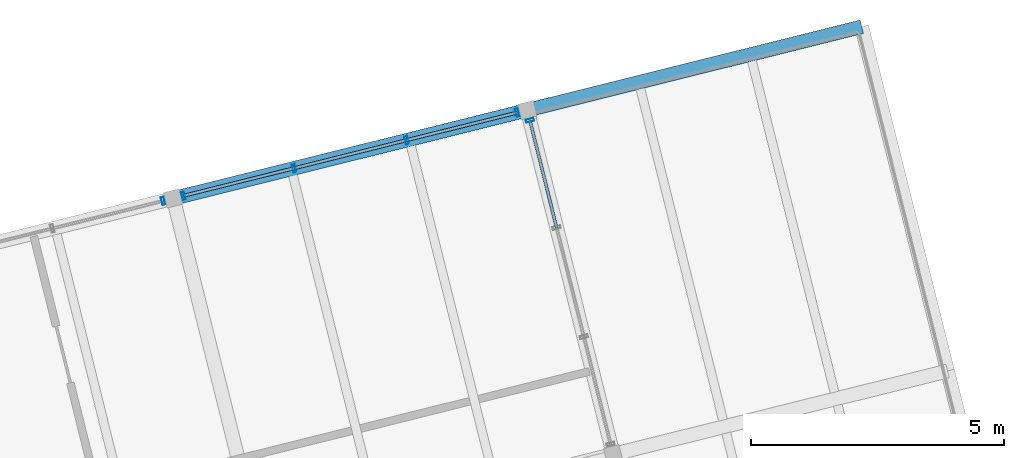
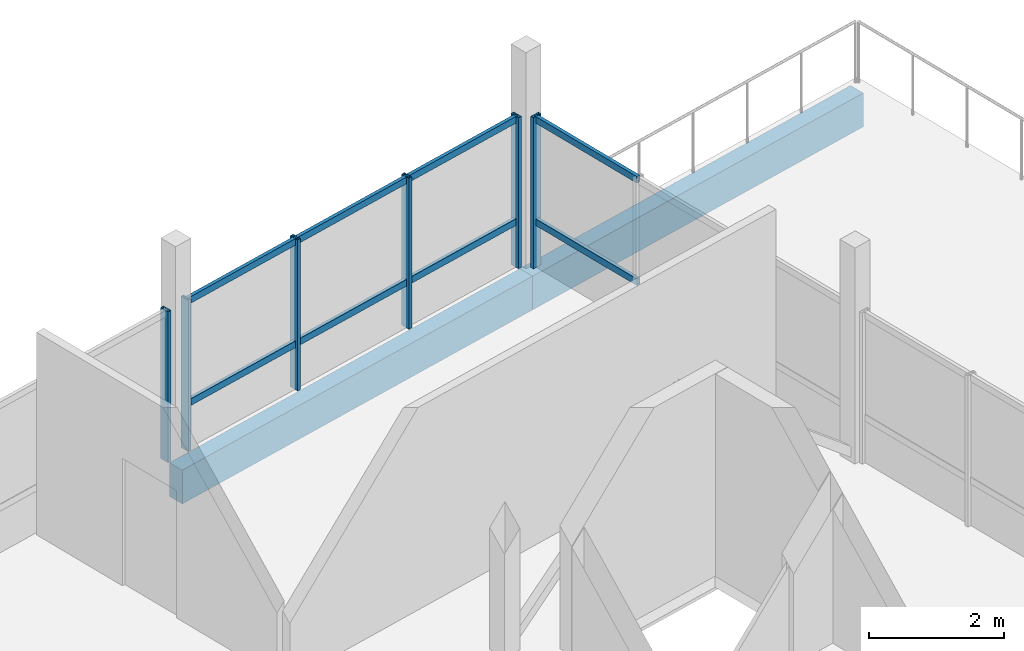
# One storey, part 19 of 24: 14 members, 2 beams, 3 elements without a shape of their own.
"""IFC4 building model written with IfcOpenShell, lengths in metres."""

import ifcopenshell
import ifcopenshell.guid

model = None  # the IFC model being written
_history = None  # IfcOwnerHistory: only IFC2X3 demands one
_inside = {}  # id of a spatial element -> (the spatial element, [elements in it])
_under = {}  # id of a project, library or spatial element -> (it, [spatial elements below it])
_declared = {}  # id of a project -> (the project, [libraries it declares])
_typed = {}  # id of a type object -> (the type object, [elements of that type])
_made_of = {}  # id of a material, layer set ... -> (it, [elements and type objects made of it])


def new_model(schema):
    """Start an empty IFC model of exactly this schema.

    Asked for "IFC4X3", IfcOpenShell would pick the latest addendum, in which some entities
    have other attributes; the version numbers below select the first issue.
    IFC2X3 requires an IfcOwnerHistory on every rooted entity: one is made here for all.
    """
    global model, _history
    if schema == "IFC4X3":
        model = ifcopenshell.file(schema_version=(4, 3, 0, 0))
    else:
        model = ifcopenshell.file(schema=schema)
    _inside.clear()
    _under.clear()
    _declared.clear()
    _typed.clear()
    _made_of.clear()
    _history = None
    if model.schema == "IFC2X3":
        org = make("IfcOrganization", Name="unknown")
        user = make(
            "IfcPersonAndOrganization",
            ThePerson=make("IfcPerson", FamilyName="unknown"),
            TheOrganization=org,
        )
        app = make(
            "IfcApplication",
            ApplicationDeveloper=org,
            Version="unknown",
            ApplicationFullName="unknown",
            ApplicationIdentifier="unknown",
        )
        _history = make(
            "IfcOwnerHistory",
            OwningUser=user,
            OwningApplication=app,
            ChangeAction="ADDED",
            CreationDate=0,
        )
    return model


def make(cls, **values):
    """One entity of the class cls with the attributes given. An attribute that is None is left unset."""
    return model.create_entity(
        cls, **{name: value for name, value in values.items() if value is not None}
    )


def rooted(cls, **values):
    """An entity with a GlobalId (a new one), such as an element, a storey or a relation."""
    return make(cls, GlobalId=ifcopenshell.guid.new(), OwnerHistory=_history, **values)


def si_unit(unit_type, name, prefix=None):
    """IfcSIUnit, for example si_unit("LENGTHUNIT", "METRE", prefix="MILLI")."""
    return make("IfcSIUnit", UnitType=unit_type, Prefix=prefix, Name=name)


def assignment(units):
    """IfcUnitAssignment: the units of a project."""
    return None if units is None else make("IfcUnitAssignment", Units=units)


def point(xyz):
    """IfcCartesianPoint."""
    return None if xyz is None else make("IfcCartesianPoint", Coordinates=xyz)


def direction(xyz):
    """IfcDirection."""
    return None if xyz is None else make("IfcDirection", DirectionRatios=xyz)


def frame(location, z_axis=None, x_axis=None):
    """IfcAxis2Placement3D, a coordinate frame: its origin and axes. An axis left out is left unset."""
    return make(
        "IfcAxis2Placement3D",
        Location=point(location),
        Axis=direction(z_axis),
        RefDirection=direction(x_axis),
    )


def frame_2d(location, x_axis=None):
    """IfcAxis2Placement2D, a coordinate frame in the plane: its origin and x axis."""
    return make(
        "IfcAxis2Placement2D", Location=point(location), RefDirection=direction(x_axis)
    )


def origin():
    """The frame at (0, 0, 0) with its axes left unset."""
    return frame((0.0, 0.0, 0.0))


def origin_2d():
    """The frame at (0, 0) in the plane with its x axis left unset."""
    return frame_2d((0.0, 0.0))


def place(relative_to, where):
    """IfcLocalPlacement: puts the frame where relative to a parent placement (None: the world)."""
    return make(
        "IfcLocalPlacement", PlacementRelTo=relative_to, RelativePlacement=where
    )


def context(
    kind, dimensions, precision=None, world=None, true_north=None, identifier=None
):
    """IfcGeometricRepresentationContext, for example the 3D "Model" context."""
    return make(
        "IfcGeometricRepresentationContext",
        ContextIdentifier=identifier,
        ContextType=kind,
        CoordinateSpaceDimension=dimensions,
        Precision=precision,
        WorldCoordinateSystem=world,
        TrueNorth=true_north,
    )


def subcontext(parent, identifier, kind, view, scale=None):
    """IfcGeometricRepresentationSubContext, for example "Body" below "Model"."""
    return make(
        "IfcGeometricRepresentationSubContext",
        ContextIdentifier=identifier,
        ContextType=kind,
        ParentContext=parent,
        TargetScale=scale,
        TargetView=view,
    )


def project(units=None, contexts=None):
    """IfcProject with its units and contexts."""
    return rooted(
        "IfcProject",
        Name="project",
        RepresentationContexts=contexts,
        UnitsInContext=assignment(units),
    )


def spatial(cls, under=None, at=None, **own):
    """A site, building, storey or space (cls), placed at a placement, below another one or the project."""
    s = rooted(cls, ObjectPlacement=at, **own)
    if under is not None:
        _under.setdefault(under.id(), (under, []))[1].append(s)
    return s


def profile(cls, at=None, kind="AREA", **sizes):
    """A parametric profile (cls). Its sizes go by their IFC names, for example OverallWidth=200.0."""
    return make(cls, ProfileType=kind, Position=at, **sizes)


def rectangle(**sizes):
    """IfcRectangleProfileDef."""
    return profile("IfcRectangleProfileDef", **sizes)


def hollow_rectangle(**sizes):
    """IfcRectangleHollowProfileDef."""
    return profile("IfcRectangleHollowProfileDef", **sizes)


def extrude(swept, where, along, depth):
    """IfcExtrudedAreaSolid: the profile swept, set in the frame where, extruded along a direction by depth."""
    return make(
        "IfcExtrudedAreaSolid",
        SweptArea=swept,
        Position=where,
        ExtrudedDirection=direction(along),
        Depth=depth,
    )


def shape(context_of_items, identifier, shape_type, items):
    """IfcShapeRepresentation: the items that make up one representation, for example the "Body"."""
    return make(
        "IfcShapeRepresentation",
        ContextOfItems=context_of_items,
        RepresentationIdentifier=identifier,
        RepresentationType=shape_type,
        Items=items,
    )


def material(Name=None, Category=None):
    """IfcMaterial."""
    return make("IfcMaterial", Name=Name, Category=Category)


def layer(
    of_material, thickness, ventilated=None, Name=None, Category=None, Priority=None
):
    """IfcMaterialLayer: one layer of a wall or slab, of a material (None: an air gap)."""
    return make(
        "IfcMaterialLayer",
        Material=of_material,
        LayerThickness=thickness,
        IsVentilated=ventilated,
        Name=Name,
        Category=Category,
        Priority=Priority,
    )


def layer_set(layers, Name=None):
    """IfcMaterialLayerSet."""
    return make("IfcMaterialLayerSet", MaterialLayers=layers, LayerSetName=Name)


def material_profile(
    of_material, cross_section, Name=None, Category=None, Priority=None
):
    """IfcMaterialProfile: a cross section and its material."""
    return make(
        "IfcMaterialProfile",
        Name=Name,
        Material=of_material,
        Profile=cross_section,
        Priority=Priority,
        Category=Category,
    )


def profile_set(profiles, Name=None, composite=None):
    """IfcMaterialProfileSet."""
    return make(
        "IfcMaterialProfileSet",
        Name=Name,
        MaterialProfiles=profiles,
        CompositeProfile=composite,
    )


def made_of(thing, what):
    """Note that an element or type object is made of a material, layer set ...; save() writes the relation."""
    if what is not None:
        _made_of.setdefault(what.id(), (what, []))[1].append(thing)
    return thing


def type_object(cls, material=None, **own):
    """A type object (cls), such as IfcWallType, which elements share."""
    return made_of(rooted(cls, **own), material)


def element(
    cls,
    number,
    at=None,
    inside=None,
    cuts=None,
    type_object=None,
    material=None,
    context=None,
    identifier="Body",
    shape_type=None,
    held_by="IfcProductDefinitionShape",
    body=None,
    shapes=None,
    **own,
):
    """One element of the class cls, such as IfcWall. Its Tag is "e" and its number.

    at: its placement. inside: the storey or other place that contains it. cuts: it is an
    opening in that element (IfcRelVoidsElement). A single representation is given by context,
    identifier, shape_type and body (its items); several are given by shapes. held_by: the class
    of the entity that holds the representations. save() writes the other relations.
    """
    e = rooted(cls, Tag="e%d" % number, ObjectPlacement=at, **own)
    if body is not None:
        shapes = [shape(context, identifier, shape_type, body)]
    if shapes is not None:
        e.Representation = make(held_by, Representations=shapes)
    if inside is not None:
        _inside.setdefault(inside.id(), (inside, []))[1].append(e)
    if cuts is not None:
        rooted(
            "IfcRelVoidsElement", RelatingBuildingElement=cuts, RelatedOpeningElement=e
        )
    if type_object is not None:
        _typed.setdefault(type_object.id(), (type_object, []))[1].append(e)
    return made_of(e, material)


def aggregate(whole, parts):
    """IfcRelAggregates: a whole, such as a stair, and the parts it consists of."""
    return rooted("IfcRelAggregates", RelatingObject=whole, RelatedObjects=parts)


def save(model, path):
    """Write the relations noted so far, then the file.

    IfcRelAggregates (storeys below a building ...), IfcRelContainedInSpatialStructure (elements
    in a storey), IfcRelDefinesByType, IfcRelAssociatesMaterial and IfcRelDeclares: one each for
    every whole, place, type object, material and project.
    """
    for whole, parts in _under.values():
        aggregate(whole, parts)
    for where, things in _inside.values():
        rooted(
            "IfcRelContainedInSpatialStructure",
            RelatedElements=things,
            RelatingStructure=where,
        )
    for kind, things in _typed.values():
        rooted("IfcRelDefinesByType", RelatedObjects=things, RelatingType=kind)
    for what, things in _made_of.values():
        rooted("IfcRelAssociatesMaterial", RelatedObjects=things, RelatingMaterial=what)
    for by, libraries in _declared.values():
        rooted("IfcRelDeclares", RelatingContext=by, RelatedDefinitions=libraries)
    model.write(path)


model = new_model("IFC4")

# Units and contexts
model_context = context("Model", 3, precision=1e-05, world=origin(), true_north=direction((0.0, 1.0)))
body_context = subcontext(model_context, "Body", "Model", "MODEL_VIEW")
ifc_project = project(units=[si_unit("LENGTHUNIT", "METRE"), si_unit("AREAUNIT", "SQUARE_METRE"), si_unit("VOLUMEUNIT", "CUBIC_METRE"), si_unit("PLANEANGLEUNIT", "RADIAN"), si_unit("MASSUNIT", "GRAM", prefix="KILO")], contexts=[model_context])

# Site, building, storey
site_placement = place(None, origin())
site = spatial("IfcSite", under=ifc_project, at=site_placement, CompositionType="ELEMENT")
building_placement = place(site_placement, origin())
building = spatial("IfcBuilding", under=site, at=building_placement, Name="Meriwether Solvik Hall", CompositionType="ELEMENT")
storey_placement = place(building_placement, frame((0.0, 0.0, 57.300048828125)))
storey = spatial("IfcBuildingStorey", under=building, at=storey_placement, Name="L14", CompositionType="ELEMENT", Elevation=57.300048828125)

# Beams
ifc_material_1 = material(Name="Glulam Douglas-Fir 24F-V8 GL28h", Category="wood")
ifc_material_profile_1 = material_profile(ifc_material_1, rectangle(XDim=0.27294921875, YDim=0.610107421875, at=origin_2d()), Name="GLB-273X610")
ifc_profile_set_1 = profile_set([ifc_material_profile_1], Name="Glulam Douglas-Fir 24F-V8 GL28h")
beam_type = type_object("IfcBeamType", Name="BM-GL-273X610", PredefinedType="SPANDREL", material=ifc_profile_set_1)
beam_1_placement = place(storey_placement, frame((83.172607421875, 73.690673828125, -0.525146484375), z_axis=(0.970301855688, 0.241897310542, 0.0), x_axis=(-0.241897310542, 0.970301855688, 0.0)))
element("IfcBeam", 1, at=beam_1_placement, inside=storey, type_object=beam_type, Name="Tower Girder TE:T4-T5 (L14)", PredefinedType="SPANDREL", context=body_context, shape_type="SweptSolid", body=[
    extrude(rectangle(XDim=0.27294921875, YDim=0.610107421875, at=origin_2d()), origin(), (0.0, 0.0, 1.0), 7.2001953125),
])
beam_2_placement = place(storey_placement, frame((90.158935546875, 75.432373046875, -0.525146484375), z_axis=(0.970296478685, 0.241918877831, 0.0), x_axis=(-0.241918877831, 0.970296478685, 0.0)))
element("IfcBeam", 2, at=beam_2_placement, inside=storey, type_object=beam_type, Name="Tower Girder TE:T5-T6 (L14)", PredefinedType="SPANDREL", context=body_context, shape_type="SweptSolid", body=[
    extrude(rectangle(XDim=0.27294921875, YDim=0.610107421875, at=origin_2d()), origin(), (0.0, 0.0, 1.0), 6.7998046875),
])

# Curtain wall, member
ifc_material_2 = material(Name="Thermally Broken Anodised Aluminium 6063-T6 and Low-E Glass", Category="aluminium")
ifc_layer_1 = layer(ifc_material_2, 0.179931640625)
ifc_layer_set_1 = layer_set([ifc_layer_1], Name="Thermally Broken Anodised Aluminium 6063-T6 and Low-E Glass")
curtain_wall_type_1 = type_object("IfcCurtainWallType", Name="CW-UNIT-B", PredefinedType="USERDEFINED", material=ifc_layer_set_1)
curtain_wall_1_placement = place(storey_placement, origin())
curtain_wall_1 = element("IfcCurtainWall", 3, at=curtain_wall_1_placement, inside=storey, type_object=curtain_wall_type_1, Name="Curtain Wall E1_B3 (L14)", ObjectType="UNITISED CURTAIN WALL", PredefinedType="USERDEFINED")
ifc_material_3 = material(Name="Anodised Aluminium 6063-T6", Category="aluminium")
ifc_material_profile_2 = material_profile(ifc_material_3, hollow_rectangle(XDim=0.06005859375, YDim=0.159912109375, WallThickness=0.00390625, at=origin_2d()), Name="CWM-60X160")
ifc_profile_set_2 = profile_set([ifc_material_profile_2], Name="Anodised Aluminium 6063-T6")
member_type_1 = type_object("IfcMemberType", Name="CW-MUL-60X160", PredefinedType="MULLION", material=ifc_profile_set_2)
member_1_placement = place(storey_placement, frame((90.208984375, 75.23095703125, 0.0), z_axis=(0.0, 0.0, 1.0), x_axis=(0.241921925524, -0.970295718815, 0.0)))
member_1 = element("IfcMember", 4, at=member_1_placement, type_object=member_type_1, Name="Curtain Wall Mullion 1", PredefinedType="MULLION", context=body_context, shape_type="SweptSolid", body=[
    extrude(hollow_rectangle(XDim=0.06005859375, YDim=0.159912109375, WallThickness=0.00390625, at=origin_2d()), origin(), (0.0, 0.0, 1.0), 2.724853515625),
])

curtain_wall_2_placement = place(storey_placement, origin())
curtain_wall_2 = element("IfcCurtainWall", 5, at=curtain_wall_2_placement, inside=storey, type_object=curtain_wall_type_1, Name="Curtain Wall E2_B2 (L14)", ObjectType="UNITISED CURTAIN WALL", PredefinedType="USERDEFINED")
member_2_placement = place(storey_placement, frame((82.971435546875, 73.640380859375, 0.0), z_axis=(0.0, 0.0, 1.0), x_axis=(0.970295730764, 0.241921877598, 0.0)))
member_2 = element("IfcMember", 6, at=member_2_placement, type_object=member_type_1, Name="Curtain Wall Mullion 4", PredefinedType="MULLION", context=body_context, shape_type="SweptSolid", body=[
    extrude(hollow_rectangle(XDim=0.06005859375, YDim=0.159912109375, WallThickness=0.00390625, at=origin_2d()), origin(), (0.0, 0.0, 1.0), 2.724853515625),
])
aggregate(curtain_wall_2, [member_2])

# Curtain wall, members
ifc_material_4 = material(Name="Thermally Broken Anodised Aluminium 6063-T6 and Low-E Glass", Category="aluminium")
ifc_layer_2 = layer(ifc_material_4, 0.179931640625)
ifc_layer_set_2 = layer_set([ifc_layer_2], Name="Thermally Broken Anodised Aluminium 6063-T6 and Low-E Glass")
curtain_wall_type_2 = type_object("IfcCurtainWallType", Name="CW-UNIT-C", PredefinedType="USERDEFINED", material=ifc_layer_set_2)
curtain_wall_3_placement = place(storey_placement, origin())
curtain_wall_3 = element("IfcCurtainWall", 7, at=curtain_wall_3_placement, inside=storey, type_object=curtain_wall_type_2, Name="Curtain Wall E2_B3 (L14)", ObjectType="UNITISED CURTAIN WALL", PredefinedType="USERDEFINED")
member_3_placement = place(storey_placement, frame((83.3740234375, 73.74072265625, 0.0), z_axis=(0.0, 0.0, 1.0), x_axis=(0.970295730764, 0.241921877598, 0.0)))
member_3 = element("IfcMember", 8, at=member_3_placement, type_object=member_type_1, Name="Curtain Wall Mullion 1", PredefinedType="MULLION", context=body_context, shape_type="SweptSolid", body=[
    extrude(hollow_rectangle(XDim=0.06005859375, YDim=0.159912109375, WallThickness=0.00390625, at=origin_2d()), origin(), (0.0, 0.0, 1.0), 2.724853515625),
])
member_4_placement = place(storey_placement, frame((85.55615234375, 74.284912109375, 0.0), z_axis=(0.0, 0.0, 1.0), x_axis=(0.970295730764, 0.241921877598, 0.0)))
member_4 = element("IfcMember", 9, at=member_4_placement, type_object=member_type_1, Name="Curtain Wall Mullion 2", PredefinedType="MULLION", context=body_context, shape_type="SweptSolid", body=[
    extrude(hollow_rectangle(XDim=0.06005859375, YDim=0.159912109375, WallThickness=0.00390625, at=origin_2d()), origin(), (0.0, 0.0, 1.0), 2.724853515625),
])
member_5_placement = place(storey_placement, frame((87.775390625, 74.838134765625, 0.0), z_axis=(0.0, 0.0, 1.0), x_axis=(0.970295730764, 0.241921877598, 0.0)))
member_5 = element("IfcMember", 10, at=member_5_placement, type_object=member_type_1, Name="Curtain Wall Mullion 3", PredefinedType="MULLION", context=body_context, shape_type="SweptSolid", body=[
    extrude(hollow_rectangle(XDim=0.06005859375, YDim=0.159912109375, WallThickness=0.00390625, at=origin_2d()), origin(), (0.0, 0.0, 1.0), 2.724853515625),
])
member_6_placement = place(storey_placement, frame((89.95751953125, 75.382080078125, 0.0), z_axis=(0.0, 0.0, 1.0), x_axis=(0.970295730764, 0.241921877598, 0.0)))
member_6 = element("IfcMember", 11, at=member_6_placement, type_object=member_type_1, Name="Curtain Wall Mullion 4", PredefinedType="MULLION", context=body_context, shape_type="SweptSolid", body=[
    extrude(hollow_rectangle(XDim=0.06005859375, YDim=0.159912109375, WallThickness=0.00390625, at=origin_2d()), origin(), (0.0, 0.0, 1.0), 2.724853515625),
])

# Member
ifc_material_5 = material(Name="Anodised Aluminium 6063-T6", Category="aluminium")
ifc_material_profile_3 = material_profile(ifc_material_5, hollow_rectangle(XDim=0.06005859375, YDim=0.1201171875, WallThickness=0.00390625, at=origin_2d()), Name="CWT-60X120")
ifc_profile_set_3 = profile_set([ifc_material_profile_3], Name="Anodised Aluminium 6063-T6")
member_type_2 = type_object("IfcMemberType", Name="CW-TRN-60X120", PredefinedType="USERDEFINED", material=ifc_profile_set_3)
member_7_placement = place(storey_placement, frame((90.208984375, 75.23095703125, 0.8173828125), z_axis=(0.241982798004, -0.970280539571, 0.0), x_axis=(0.970280539571, 0.241982798004, 0.0)))
member_7 = element("IfcMember", 12, at=member_7_placement, type_object=member_type_2, Name="Curtain Wall Transom 1-sill", ObjectType="TRANSOM", PredefinedType="USERDEFINED", context=body_context, shape_type="SweptSolid", body=[
    extrude(hollow_rectangle(XDim=0.06005859375, YDim=0.1201171875, WallThickness=0.00390625, at=origin_2d()), origin(), (0.0, 0.0, 1.0), 2.182373046875),
])

member_8_placement = place(storey_placement, frame((90.208984375, 75.23095703125, 2.6650390625), z_axis=(0.241982798004, -0.970280539571, 0.0), x_axis=(0.970280539571, 0.241982798004, 0.0)))
member_8 = element("IfcMember", 13, at=member_8_placement, type_object=member_type_2, Name="Curtain Wall Transom 1-head", ObjectType="TRANSOM", PredefinedType="USERDEFINED", context=body_context, shape_type="SweptSolid", body=[
    extrude(hollow_rectangle(XDim=0.06005859375, YDim=0.1201171875, WallThickness=0.00390625, at=origin_2d()), origin(), (0.0, 0.0, 1.0), 2.182373046875),
])

aggregate(curtain_wall_1, [member_1, member_7, member_8])

member_9_placement = place(storey_placement, frame((83.3740234375, 73.74072265625, 0.8173828125), z_axis=(0.970282822978, 0.241973642025, 0.0), x_axis=(-0.241973642025, 0.970282822978, 0.0)))
member_9 = element("IfcMember", 14, at=member_9_placement, type_object=member_type_2, Name="Curtain Wall Transom 1-sill", ObjectType="TRANSOM", PredefinedType="USERDEFINED", context=body_context, shape_type="SweptSolid", body=[
    extrude(hollow_rectangle(XDim=0.06005859375, YDim=0.1201171875, WallThickness=0.00390625, at=origin_2d()), origin(), (0.0, 0.0, 1.0), 2.2490234375),
])

member_10_placement = place(storey_placement, frame((83.3740234375, 73.74072265625, 2.6650390625), z_axis=(0.970282822978, 0.241973642025, 0.0), x_axis=(-0.241973642025, 0.970282822978, 0.0)))
member_10 = element("IfcMember", 15, at=member_10_placement, type_object=member_type_2, Name="Curtain Wall Transom 1-head", ObjectType="TRANSOM", PredefinedType="USERDEFINED", context=body_context, shape_type="SweptSolid", body=[
    extrude(hollow_rectangle(XDim=0.06005859375, YDim=0.1201171875, WallThickness=0.00390625, at=origin_2d()), origin(), (0.0, 0.0, 1.0), 2.2490234375),
])

member_11_placement = place(storey_placement, frame((85.55615234375, 74.284912109375, 0.8173828125), z_axis=(0.970305536326, 0.241882546239, 0.0), x_axis=(-0.241882546239, 0.970305536326, 0.0)))
member_11 = element("IfcMember", 16, at=member_11_placement, type_object=member_type_2, Name="Curtain Wall Transom 2-sill", ObjectType="TRANSOM", PredefinedType="USERDEFINED", context=body_context, shape_type="SweptSolid", body=[
    extrude(hollow_rectangle(XDim=0.06005859375, YDim=0.1201171875, WallThickness=0.00390625, at=origin_2d()), origin(), (0.0, 0.0, 1.0), 2.287109375),
])

member_12_placement = place(storey_placement, frame((85.55615234375, 74.284912109375, 2.6650390625), z_axis=(0.970305536326, 0.241882546239, 0.0), x_axis=(-0.241882546239, 0.970305536326, 0.0)))
member_12 = element("IfcMember", 17, at=member_12_placement, type_object=member_type_2, Name="Curtain Wall Transom 2-head", ObjectType="TRANSOM", PredefinedType="USERDEFINED", context=body_context, shape_type="SweptSolid", body=[
    extrude(hollow_rectangle(XDim=0.06005859375, YDim=0.1201171875, WallThickness=0.00390625, at=origin_2d()), origin(), (0.0, 0.0, 1.0), 2.287109375),
])

member_13_placement = place(storey_placement, frame((87.775390625, 74.838134765625, 0.8173828125), z_axis=(0.970308305597, 0.241871437108, 0.0), x_axis=(-0.241871437108, 0.970308305597, 0.0)))
member_13 = element("IfcMember", 18, at=member_13_placement, type_object=member_type_2, Name="Curtain Wall Transom 3-sill", ObjectType="TRANSOM", PredefinedType="USERDEFINED", context=body_context, shape_type="SweptSolid", body=[
    extrude(hollow_rectangle(XDim=0.06005859375, YDim=0.1201171875, WallThickness=0.00390625, at=origin_2d()), origin(), (0.0, 0.0, 1.0), 2.2490234375),
])

member_14_placement = place(storey_placement, frame((87.775390625, 74.838134765625, 2.6650390625), z_axis=(0.970308305597, 0.241871437108, 0.0), x_axis=(-0.241871437108, 0.970308305597, 0.0)))
member_14 = element("IfcMember", 19, at=member_14_placement, type_object=member_type_2, Name="Curtain Wall Transom 3-head", ObjectType="TRANSOM", PredefinedType="USERDEFINED", context=body_context, shape_type="SweptSolid", body=[
    extrude(hollow_rectangle(XDim=0.06005859375, YDim=0.1201171875, WallThickness=0.00390625, at=origin_2d()), origin(), (0.0, 0.0, 1.0), 2.2490234375),
])

aggregate(curtain_wall_3, [member_3, member_4, member_5, member_6, member_9, member_10, member_11, member_12, member_13, member_14])

save(model, "model.ifc")
